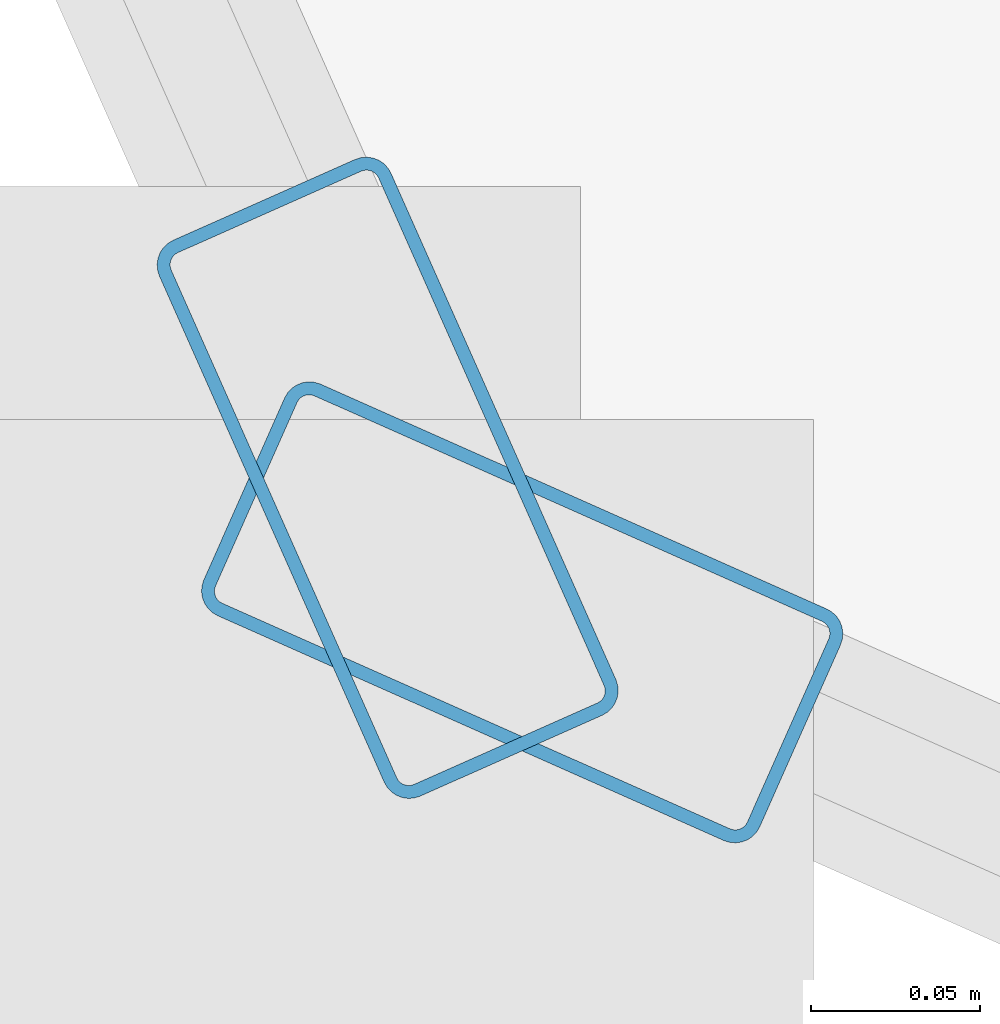
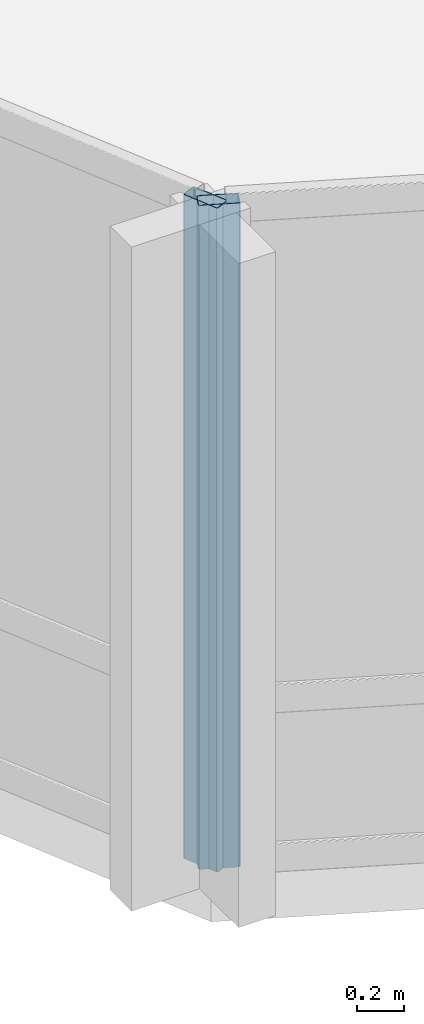
# One storey, part 2 of 34: 2 members, 2 elements without a shape of their own.
"""IFC4 building model written with IfcOpenShell, lengths in metres."""

from ifc_helpers import new_model, si_unit, direction, frame, origin, origin_2d, place, context, subcontext, project, spatial, hollow_rectangle, extrude, material, layer, layer_set, material_profile, profile_set, type_object, element, aggregate, save


model = new_model("IFC4")

# Units and contexts
model_context = context("Model", 3, precision=1e-05, world=origin(), true_north=direction((0.0, 1.0)))
body_context = subcontext(model_context, "Body", "Model", "MODEL_VIEW")
ifc_project = project(units=[si_unit("LENGTHUNIT", "METRE"), si_unit("AREAUNIT", "SQUARE_METRE"), si_unit("VOLUMEUNIT", "CUBIC_METRE"), si_unit("PLANEANGLEUNIT", "RADIAN"), si_unit("MASSUNIT", "GRAM", prefix="KILO")], contexts=[model_context])

# Site, building, storey
site_placement = place(None, origin())
site = spatial("IfcSite", under=ifc_project, at=site_placement, CompositionType="ELEMENT")
building_placement = place(site_placement, origin())
building = spatial("IfcBuilding", under=site, at=building_placement, Name="Solvaryn Broadcast Tower", CompositionType="ELEMENT")
storey_placement = place(building_placement, frame((0.0, 0.0, 73.0)))
storey = spatial("IfcBuildingStorey", under=building, at=storey_placement, Name="L17", CompositionType="ELEMENT", Elevation=73.0)

# Curtain wall, member
ifc_material_1 = material(Name="Aluminium and Terracotta Unitised Curtain Wall", Category="masonry")
ifc_layer = layer(ifc_material_1, 0.199951171875)
ifc_layer_set = layer_set([ifc_layer], Name="CW-SYS2-LOWMID")
curtain_wall_type = type_object("IfcCurtainWallType", Name="CW-SYS2-LOWMID", PredefinedType="NOTDEFINED", material=ifc_layer_set)
curtain_wall_1_placement = place(storey_placement, origin())
curtain_wall_1 = element("IfcCurtainWall", 1, at=curtain_wall_1_placement, inside=storey, type_object=curtain_wall_type, Name="L17 Curtain Wall DR2", PredefinedType="NOTDEFINED")
ifc_material_2 = material(Name="Anodised Aluminium 6063-T6", Category="aluminium")
ifc_material_profile = material_profile(ifc_material_2, hollow_rectangle(XDim=0.074951171875, YDim=0.179931640625, WallThickness=0.00390625, InnerFilletRadius=0.00390625, OuterFilletRadius=0.008056640625, at=origin_2d()))
ifc_profile_set = profile_set([ifc_material_profile], Name="Anodised Aluminium 6063-T6")
member_type = type_object("IfcMemberType", Name="CW-MUL-180", PredefinedType="MULLION", material=ifc_profile_set)
member_1_placement = place(storey_placement, frame((7.834716796875, 7.87451171875, 0.0), z_axis=(0.0, 0.0, 1.0), x_axis=(0.913918257271, 0.405898286554, 0.0)))
member_1 = element("IfcMember", 2, at=member_1_placement, type_object=member_type, Name="CWS2 mullion 2", PredefinedType="MULLION", context=body_context, shape_type="SweptSolid", body=[
    extrude(hollow_rectangle(XDim=0.074951171875, YDim=0.179931640625, WallThickness=0.00390625, InnerFilletRadius=0.00390625, OuterFilletRadius=0.008056640625, at=origin_2d()), origin(), (0.0, 0.0, 1.0), 3.419921875),
])
aggregate(curtain_wall_1, [member_1])

curtain_wall_2_placement = place(storey_placement, origin())
curtain_wall_2 = element("IfcCurtainWall", 3, at=curtain_wall_2_placement, inside=storey, type_object=curtain_wall_type, Name="L17 Curtain Wall DR3", PredefinedType="NOTDEFINED")
member_2_placement = place(storey_placement, frame((7.87451171875, 7.834716796875, 0.0), z_axis=(0.0, 0.0, 1.0), x_axis=(0.405898286554, 0.913918257271, 0.0)))
member_2 = element("IfcMember", 4, at=member_2_placement, type_object=member_type, Name="CWS2 mullion 1", PredefinedType="MULLION", context=body_context, shape_type="SweptSolid", body=[
    extrude(hollow_rectangle(XDim=0.074951171875, YDim=0.179931640625, WallThickness=0.00390625, InnerFilletRadius=0.00390625, OuterFilletRadius=0.008056640625, at=origin_2d()), origin(), (0.0, 0.0, 1.0), 3.419921875),
])
aggregate(curtain_wall_2, [member_2])

save(model, "model.ifc")
